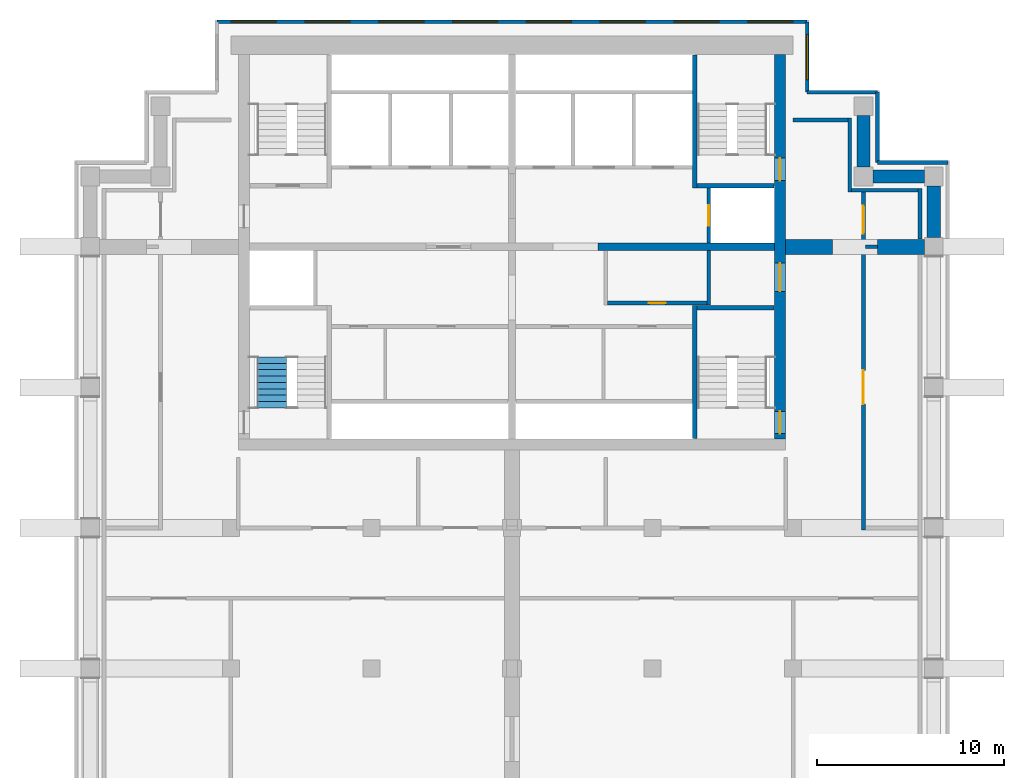
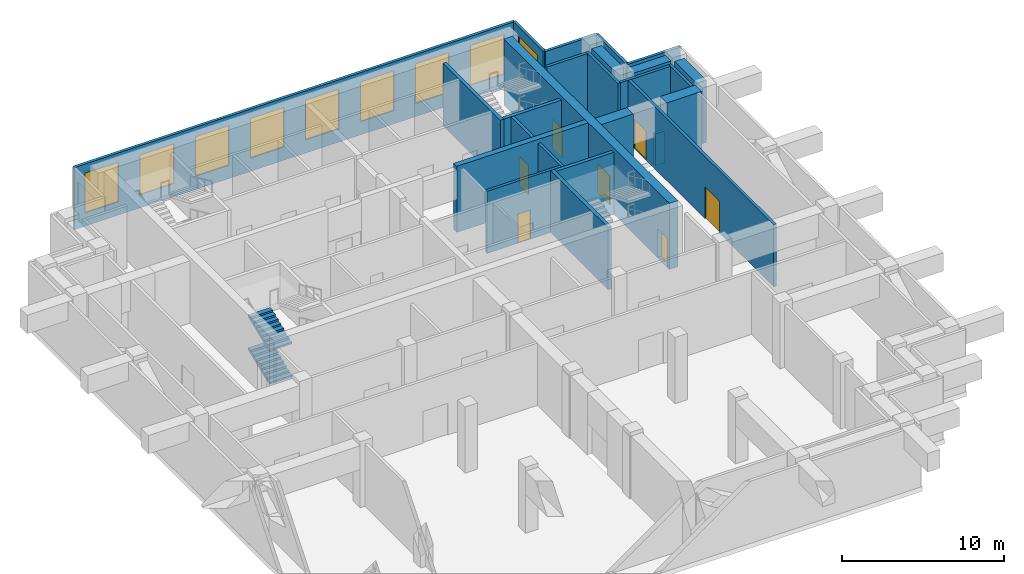
# One storey, part 4 of 6: 25 walls, 9 windows, 7 doors, 2 stair flights, 16 openings, 1 element without a shape of its own.
"""IFC4 building model written with IfcOpenShell, lengths in metres."""

from ifc_helpers import new_model, si_unit, direction, frame, frame_2d, origin, place, context, subcontext, project, spatial, polyline, rectangle, outline, extrude, material, layer, layer_set, type_object, element, fill, aggregate, save


model = new_model("IFC4")

# Units and contexts
model_context = context("Model", 3, precision=1e-05, world=origin(), true_north=direction((0.0, 1.0)))
body_context = subcontext(model_context, "Body", "Model", "MODEL_VIEW")
ifc_project = project(units=[si_unit("LENGTHUNIT", "METRE"), si_unit("AREAUNIT", "SQUARE_METRE"), si_unit("VOLUMEUNIT", "CUBIC_METRE"), si_unit("PLANEANGLEUNIT", "RADIAN"), si_unit("MASSUNIT", "GRAM", prefix="KILO")], contexts=[model_context])

# Site, building, storey
site_placement = place(None, origin())
site = spatial("IfcSite", under=ifc_project, at=site_placement, CompositionType="ELEMENT")
building_placement = place(site_placement, origin())
building = spatial("IfcBuilding", under=site, at=building_placement, Name="Pilkhan Gate Tower", CompositionType="ELEMENT")
storey_placement = place(building_placement, frame((0.0, 0.0, 183.699951171875)))
storey = spatial("IfcBuildingStorey", under=building, at=storey_placement, Name="L47", CompositionType="ELEMENT", Elevation=183.699951171875)

# Walls
ifc_material_1 = material(Name="Concrete C60/75", Category="concrete")
ifc_layer_1 = layer(ifc_material_1, 0.699951171875)
ifc_layer_set_1 = layer_set([ifc_layer_1], Name="Belt wall BW700 C60/75")
wall_type_1 = type_object("IfcWallType", Name="Belt wall BW700 C60/75", PredefinedType="SHEAR", material=ifc_layer_set_1)
for number, where, z_axis, x_axis, name in (
    (1, (93.75, 89.5, 0.0), (0.0, 0.0, 1.0), (0.0, -1.0, 0.0), "Belt wall 14 L47"),
    (2, (94.25, 86.25, 0.0), (0.0, 0.0, 1.0), (1.0, 0.0, 0.0), "Belt wall 15 L47"),
    (3, (97.5, 85.75, 0.0), (0.0, 0.0, 1.0), (0.0, -1.0, 0.0), "Belt wall 16 L47"),
):
    element("IfcWall", number, at=place(storey_placement, frame(where, z_axis=z_axis, x_axis=x_axis)), inside=storey, type_object=wall_type_1, Name=name, PredefinedType="SHEAR", context=body_context, shape_type="SweptSolid", body=[
        extrude(rectangle(XDim=2.75, YDim=0.699951171875, at=frame_2d((1.375, 0.0))), origin(), (0.0, 0.0, 1.0), 4.699951171875),
    ])

# Wall, openings, doors
ifc_material_2 = material(Name="Concrete C50/60", Category="concrete")
ifc_layer_2 = layer(ifc_material_2, 0.60009765625)
ifc_layer_set_2 = layer_set([ifc_layer_2], Name="Core wall CW600 C50/60")
wall_type_2 = type_object("IfcWallType", Name="Core wall CW600 C50/60", PredefinedType="SHEAR", material=ifc_layer_set_2)
wall_1_placement = place(storey_placement, frame((89.300048828125, 72.25, 0.0), z_axis=(0.0, 0.0, 1.0), x_axis=(0.0, 1.0, 0.0)))
wall_1 = element("IfcWall", 4, at=wall_1_placement, inside=storey, type_object=wall_type_2, Name="Core wall E L47", PredefinedType="SHEAR", context=body_context, shape_type="SweptSolid", body=[
    extrude(rectangle(XDim=20.5, YDim=0.60009765625, at=frame_2d((10.25, 0.0))), origin(), (0.0, 0.0, 1.0), 5.0),
])
opening_1_placement = place(wall_1_placement, frame((0.27490234375, 0.0, 0.0)))
opening_1 = element("IfcOpeningElement", 5, at=opening_1_placement, cuts=wall_1, Name="Opening L47-03", PredefinedType="OPENING", context=body_context, shape_type="SweptSolid", body=[
    extrude(rectangle(XDim=1.199951171875, YDim=2.199951171875, at=frame_2d((0.60009765625, 1.10009765625))), frame((0.0, 0.31005859375, 0.0), z_axis=(0.0, -1.0, 0.0), x_axis=(1.0, 0.0, 0.0)), (0.0, 0.0, 1.0), 0.6201171875),
])
opening_2_placement = place(wall_1_placement, frame((13.77490234375, 0.0, 0.0)))
opening_2 = element("IfcOpeningElement", 6, at=opening_2_placement, cuts=wall_1, Name="Opening L47-05", PredefinedType="OPENING", context=body_context, shape_type="SweptSolid", body=[
    extrude(rectangle(XDim=1.199951171875, YDim=2.199951171875, at=frame_2d((0.60009765625, 1.10009765625))), frame((0.0, 0.31005859375, 0.0), z_axis=(0.0, -1.0, 0.0), x_axis=(1.0, 0.0, 0.0)), (0.0, 0.0, 1.0), 0.6201171875),
])
opening_3_placement = place(wall_1_placement, frame((7.875, 0.0, 0.0)))
opening_3 = element("IfcOpeningElement", 7, at=opening_3_placement, cuts=wall_1, Name="Opening L47-09", PredefinedType="OPENING", context=body_context, shape_type="SweptSolid", body=[
    extrude(rectangle(XDim=1.5, YDim=2.199951171875, at=frame_2d((0.75, 1.10009765625))), frame((0.0, 0.31005859375, 0.0), z_axis=(0.0, -1.0, 0.0), x_axis=(1.0, 0.0, 0.0)), (0.0, 0.0, 1.0), 0.6201171875),
])
ifc_material_3 = material(Name="Steel framed glazed door, 60 minute fire resisting", Category="steel")
door_type_1 = type_object("IfcDoorType", Name="Lobby door D09 1500x2200", OperationType="DOUBLE_DOOR_SINGLE_SWING", PredefinedType="DOOR", material=ifc_material_3)
door_1_placement = place(opening_3_placement, origin())
door_1 = element("IfcDoor", 8, at=door_1_placement, inside=storey, type_object=door_type_1, Name="Core door", OperationType="DOUBLE_DOOR_SINGLE_SWING", OverallHeight=2.199951171875, OverallWidth=1.5, PredefinedType="DOOR", context=body_context, shape_type="SweptSolid", body=[
    extrude(rectangle(XDim=1.5, YDim=2.199951171875, at=frame_2d((0.75, 1.10009765625))), frame((0.0, 0.02490234375, 0.0), z_axis=(0.0, -1.0, 0.0), x_axis=(1.0, 0.0, 0.0)), (0.0, 0.0, 1.0), 0.050048828125),
])
fill(opening_3, door_1)
ifc_material_4 = material(Name="Steel door, 120 minute fire resisting, panic bar", Category="steel")
door_type_2 = type_object("IfcDoorType", Name="Stair door D11 1200x2200", OperationType="SINGLE_SWING_LEFT", PredefinedType="DOOR", material=ifc_material_4)
door_2_placement = place(opening_1_placement, origin())
door_2 = element("IfcDoor", 9, at=door_2_placement, inside=storey, type_object=door_type_2, Name="Stair ST1 door", OperationType="SINGLE_SWING_LEFT", OverallHeight=2.199951171875, OverallWidth=1.199951171875, PredefinedType="DOOR", context=body_context, shape_type="SweptSolid", body=[
    extrude(rectangle(XDim=1.199951171875, YDim=2.199951171875, at=frame_2d((0.60009765625, 1.10009765625))), frame((0.0, 0.02490234375, 0.0), z_axis=(0.0, -1.0, 0.0), x_axis=(1.0, 0.0, 0.0)), (0.0, 0.0, 1.0), 0.050048828125),
])
fill(opening_1, door_2)
door_3_placement = place(opening_2_placement, origin())
door_3 = element("IfcDoor", 10, at=door_3_placement, inside=storey, type_object=door_type_2, Name="Stair ST4 door", OperationType="SINGLE_SWING_RIGHT", OverallHeight=2.199951171875, OverallWidth=1.199951171875, PredefinedType="DOOR", context=body_context, shape_type="SweptSolid", body=[
    extrude(rectangle(XDim=1.199951171875, YDim=2.199951171875, at=frame_2d((0.60009765625, 1.10009765625))), frame((0.0, 0.02490234375, 0.0), z_axis=(0.0, -1.0, 0.0), x_axis=(1.0, 0.0, 0.0)), (0.0, 0.0, 1.0), 0.050048828125),
])
fill(opening_2, door_3)

# Wall, opening, door
ifc_material_5 = material(Name="Dense blockwork", Category="masonry")
ifc_layer_3 = layer(ifc_material_5, 0.199951171875)
ifc_layer_set_3 = layer_set([ifc_layer_3], Name="Lobby wall LW200")
wall_type_3 = type_object("IfcWallType", Name="Lobby wall LW200", PredefinedType="PARTITIONING", material=ifc_layer_set_3)
wall_2_placement = place(storey_placement, frame((80.10009765625, 79.5, 0.0), z_axis=(0.0, 0.0, 1.0), x_axis=(1.0, 0.0, 0.0)))
wall_2 = element("IfcWall", 11, at=wall_2_placement, inside=storey, type_object=wall_type_3, Name="Partition L47", PredefinedType="PARTITIONING", context=body_context, shape_type="SweptSolid", body=[
    extrude(rectangle(XDim=5.2998046875, YDim=0.199951171875, at=frame_2d((2.64990234375, 0.0))), origin(), (0.0, 0.0, 1.0), 4.699951171875),
])
opening_4_placement = place(wall_2_placement, frame((2.199951171875, 0.0, 0.0)))
opening_4 = element("IfcOpeningElement", 12, at=opening_4_placement, cuts=wall_2, Name="Opening L47-10", PredefinedType="OPENING", context=body_context, shape_type="SweptSolid", body=[
    extrude(rectangle(XDim=0.89990234375, YDim=2.199951171875, at=frame_2d((0.449951171875, 1.10009765625))), frame((0.0, 0.10986328125, 0.0), z_axis=(0.0, -1.0, 0.0), x_axis=(1.0, 0.0, 0.0)), (0.0, 0.0, 1.0), 0.219970703125),
])
ifc_material_6 = material(Name="Timber flush door, 60 minute fire resisting, self-closing", Category="wood")
door_type_3 = type_object("IfcDoorType", Name="Store door D05 900x2200", OperationType="SINGLE_SWING_LEFT", PredefinedType="DOOR", material=ifc_material_6)
door_4_placement = place(opening_4_placement, origin())
door_4 = element("IfcDoor", 13, at=door_4_placement, inside=storey, type_object=door_type_3, Name="Store door", OperationType="SINGLE_SWING_LEFT", OverallHeight=2.199951171875, OverallWidth=0.89990234375, PredefinedType="DOOR", context=body_context, shape_type="SweptSolid", body=[
    extrude(rectangle(XDim=0.89990234375, YDim=2.199951171875, at=frame_2d((0.449951171875, 1.10009765625))), frame((0.0, 0.02490234375, 0.0), z_axis=(0.0, -1.0, 0.0), x_axis=(1.0, 0.0, 0.0)), (0.0, 0.0, 1.0), 0.050048828125),
])
fill(opening_4, door_4)

# Walls
wall_3_placement = place(storey_placement, frame((93.85009765625, 82.5, 0.0), z_axis=(0.0, 0.0, 1.0), x_axis=(1.0, 0.0, 0.0)))
element("IfcWall", 14, at=wall_3_placement, inside=storey, type_object=wall_type_3, Name="Partition L47", PredefinedType="PARTITIONING", context=body_context, shape_type="SweptSolid", body=[
    extrude(rectangle(XDim=0.639892578125, YDim=0.199951171875, at=frame_2d((0.31982421875, 0.0))), origin(), (0.0, 0.0, 1.0), 2.400146484375),
])
wall_4_placement = place(storey_placement, frame((93.114990234375, 85.514892578125, 0.0), z_axis=(0.0, 0.0, 1.0), x_axis=(1.0, 0.0, 0.0)))
element("IfcWall", 15, at=wall_4_placement, inside=storey, type_object=wall_type_3, Name="Partition L47", PredefinedType="PARTITIONING", context=body_context, shape_type="SweptSolid", body=[
    extrude(rectangle(XDim=3.550048828125, YDim=0.199951171875, at=frame_2d((1.77490234375, 0.0))), origin(), (0.0, 0.0, 1.0), 4.699951171875),
])
wall_5_placement = place(storey_placement, frame((90.0, 89.264892578125, 0.0), z_axis=(0.0, 0.0, 1.0), x_axis=(1.0, 0.0, 0.0)))
element("IfcWall", 16, at=wall_5_placement, inside=storey, type_object=wall_type_3, Name="Partition L47", PredefinedType="PARTITIONING", context=body_context, shape_type="SweptSolid", body=[
    extrude(rectangle(XDim=2.9150390625, YDim=0.199951171875, at=frame_2d((1.45751953125, 0.0))), origin(), (0.0, 0.0, 1.0), 4.699951171875),
])
wall_6_placement = place(storey_placement, frame((85.5, 79.39990234375, 0.0), z_axis=(0.0, 0.0, 1.0), x_axis=(0.0, 1.0, 0.0)))
element("IfcWall", 17, at=wall_6_placement, inside=storey, type_object=wall_type_3, Name="Partition L47", PredefinedType="PARTITIONING", context=body_context, shape_type="SweptSolid", body=[
    extrude(rectangle(XDim=2.89013671875, YDim=0.199951171875, at=frame_2d((1.445068359375, 0.0))), origin(), (0.0, 0.0, 1.0), 4.699951171875),
])
wall_7_placement = place(storey_placement, frame((93.014892578125, 85.4150390625, 0.0), z_axis=(0.0, 0.0, 1.0), x_axis=(0.0, 1.0, 0.0)))
element("IfcWall", 18, at=wall_7_placement, inside=storey, type_object=wall_type_3, Name="Partition L47", PredefinedType="PARTITIONING", context=body_context, shape_type="SweptSolid", body=[
    extrude(rectangle(XDim=3.949951171875, YDim=0.199951171875, at=frame_2d((1.97509765625, 0.0))), origin(), (0.0, 0.0, 1.0), 4.699951171875),
])

# Wall, openings, doors
wall_8_placement = place(storey_placement, frame((93.75, 67.39990234375, 0.0), z_axis=(0.0, 0.0, 1.0), x_axis=(0.0, 1.0, 0.0)))
wall_8 = element("IfcWall", 19, at=wall_8_placement, inside=storey, type_object=wall_type_3, Name="Partition L47", PredefinedType="PARTITIONING", context=body_context, shape_type="SweptSolid", body=[
    extrude(rectangle(XDim=18.01513671875, YDim=0.199951171875, at=frame_2d((9.007568359375, 0.0))), origin(), (0.0, 0.0, 1.0), 4.699951171875),
])
opening_5_placement = place(wall_8_placement, frame((15.800048828125, 0.0, 0.0)))
opening_5 = element("IfcOpeningElement", 20, at=opening_5_placement, cuts=wall_8, Name="Opening L47-08", PredefinedType="OPENING", context=body_context, shape_type="SweptSolid", body=[
    extrude(rectangle(XDim=1.5, YDim=2.199951171875, at=frame_2d((0.75, 1.10009765625))), frame((0.0, 0.10986328125, 0.0), z_axis=(0.0, -1.0, 0.0), x_axis=(1.0, 0.0, 0.0)), (0.0, 0.0, 1.0), 0.219970703125),
])
opening_6_placement = place(wall_8_placement, frame((6.699951171875, 0.0, 0.0)))
opening_6 = element("IfcOpeningElement", 21, at=opening_6_placement, cuts=wall_8, Name="Opening L47-24", PredefinedType="OPENING", context=body_context, shape_type="SweptSolid", body=[
    extrude(rectangle(XDim=1.800048828125, YDim=2.39990234375, at=frame_2d((0.89990234375, 1.199951171875))), frame((0.0, 0.10986328125, 0.0), z_axis=(0.0, -1.0, 0.0), x_axis=(1.0, 0.0, 0.0)), (0.0, 0.0, 1.0), 0.219970703125),
])
door_5_placement = place(opening_5_placement, origin())
door_5 = element("IfcDoor", 22, at=door_5_placement, inside=storey, type_object=door_type_1, Name="Refuge door", OperationType="DOUBLE_DOOR_SINGLE_SWING", OverallHeight=2.199951171875, OverallWidth=1.5, PredefinedType="DOOR", context=body_context, shape_type="SweptSolid", body=[
    extrude(rectangle(XDim=1.5, YDim=2.199951171875, at=frame_2d((0.75, 1.10009765625))), frame((0.0, 0.02490234375, 0.0), z_axis=(0.0, -1.0, 0.0), x_axis=(1.0, 0.0, 0.0)), (0.0, 0.0, 1.0), 0.050048828125),
])
fill(opening_5, door_5)
ifc_material_7 = material(Name="Steel door, 120 minute fire resisting", Category="steel")
door_type_4 = type_object("IfcDoorType", Name="Plant room door D08 1800x2400", OperationType="DOUBLE_DOOR_SINGLE_SWING", PredefinedType="DOOR", material=ifc_material_7)
door_6_placement = place(opening_6_placement, origin())
door_6 = element("IfcDoor", 23, at=door_6_placement, inside=storey, type_object=door_type_4, Name="Plant room door", OperationType="DOUBLE_DOOR_SINGLE_SWING", OverallHeight=2.39990234375, OverallWidth=1.800048828125, PredefinedType="DOOR", context=body_context, shape_type="SweptSolid", body=[
    extrude(rectangle(XDim=1.800048828125, YDim=2.39990234375, at=frame_2d((0.89990234375, 1.199951171875))), frame((0.0, 0.02490234375, 0.0), z_axis=(0.0, -1.0, 0.0), x_axis=(1.0, 0.0, 0.0)), (0.0, 0.0, 1.0), 0.050048828125),
])
fill(opening_6, door_6)

# Walls
wall_9_placement = place(storey_placement, frame((96.764892578125, 82.909912109375, 0.0), z_axis=(0.0, 0.0, 1.0), x_axis=(0.0, 1.0, 0.0)))
element("IfcWall", 24, at=wall_9_placement, inside=storey, type_object=wall_type_3, Name="Partition L47", PredefinedType="PARTITIONING", context=body_context, shape_type="SweptSolid", body=[
    extrude(rectangle(XDim=2.705078125, YDim=0.199951171875, at=frame_2d((1.3525390625, 0.0))), origin(), (0.0, 0.0, 1.0), 4.699951171875),
])
ifc_layer_4 = layer(ifc_material_1, 0.800048828125)
ifc_layer_set_4 = layer_set([ifc_layer_4], Name="Outrigger wall OW800 C60/75")
wall_type_4 = type_object("IfcWallType", Name="Outrigger wall OW800 C60/75", PredefinedType="SHEAR", material=ifc_layer_set_4)
for number, where, z_axis, x_axis, name in (
    (25, (89.60009765625, 82.5, 0.0), (0.0, 0.0, 1.0), (1.0, 0.0, 0.0), "Outrigger wall 1 L47"),
    (26, (94.5, 82.5, 0.0), (0.0, 0.0, 1.0), (1.0, 0.0, 0.0), "Outrigger wall 2 L47"),
):
    element("IfcWall", number, at=place(storey_placement, frame(where, z_axis=z_axis, x_axis=x_axis)), inside=storey, type_object=wall_type_4, Name=name, PredefinedType="SHEAR", context=body_context, shape_type="SweptSolid", body=[
        extrude(rectangle(XDim=2.5, YDim=0.800048828125, at=frame_2d((1.25, 0.0))), origin(), (0.0, 0.0, 1.0), 4.699951171875),
    ])
ifc_material_8 = material(Name="Pale anodised aluminium cladding", Category="aluminium")
ifc_layer_5 = layer(ifc_material_8, 0.199951171875)
ifc_layer_set_5 = layer_set([ifc_layer_5], Name="Plant screen wall PS200")
wall_type_5 = type_object("IfcWallType", Name="Plant screen wall PS200", PredefinedType="SOLIDWALL", material=ifc_layer_set_5)
for number, where, z_axis, x_axis, name in (
    (27, (94.5, 87.0, 0.0), (0.0, 0.0, 1.0), (1.0, 0.0, 0.0), "Plant screen wall L47 N"),
    (28, (94.5, 87.0, 0.0), (0.0, 0.0, 1.0), (0.0, 1.0, 0.0), "Plant screen wall L47 E"),
    (29, (90.75, 90.75, 0.0), (0.0, 0.0, 1.0), (1.0, 0.0, 0.0), "Plant screen wall L47 N"),
):
    element("IfcWall", number, at=place(storey_placement, frame(where, z_axis=z_axis, x_axis=x_axis)), inside=storey, type_object=wall_type_5, Name=name, PredefinedType="SOLIDWALL", context=body_context, shape_type="SweptSolid", body=[
        extrude(rectangle(XDim=3.75, YDim=0.199951171875, at=frame_2d((1.875, 0.0))), origin(), (0.0, 0.0, 1.0), 4.699951171875),
    ])

# Wall, opening, window
wall_10_placement = place(storey_placement, frame((90.75, 90.75, 0.0), z_axis=(0.0, 0.0, 1.0), x_axis=(0.0, 1.0, 0.0)))
wall_10 = element("IfcWall", 30, at=wall_10_placement, inside=storey, type_object=wall_type_5, Name="Plant screen wall L47 E", PredefinedType="SOLIDWALL", context=body_context, shape_type="SweptSolid", body=[
    extrude(rectangle(XDim=3.75, YDim=0.199951171875, at=frame_2d((1.875, 0.0))), origin(), (0.0, 0.0, 1.0), 4.699951171875),
])
opening_7_placement = place(wall_10_placement, frame((0.675048828125, 0.0, 1.0)))
opening_7 = element("IfcOpeningElement", 31, at=opening_7_placement, cuts=wall_10, Name="Opening WL1", PredefinedType="OPENING", context=body_context, shape_type="SweptSolid", body=[
    extrude(rectangle(XDim=2.39990234375, YDim=3.0, at=frame_2d((1.199951171875, 1.5))), frame((0.0, 0.10986328125, 0.0), z_axis=(0.0, -1.0, 0.0), x_axis=(1.0, 0.0, 0.0)), (0.0, 0.0, 1.0), 0.219970703125),
])
ifc_material_9 = material(Name="Pale anodised aluminium storm louvre, bird mesh", Category="aluminium")
window_type = type_object("IfcWindowType", Name="Plant louvre WL1 2400x3000", PartitioningType="SINGLE_PANEL", PredefinedType="USERDEFINED", material=ifc_material_9)
window_1_placement = place(opening_7_placement, origin())
window_1 = element("IfcWindow", 32, at=window_1_placement, inside=storey, type_object=window_type, Name="Louvre L47", ObjectType="LOUVRE", OverallHeight=3.0, OverallWidth=2.39990234375, PartitioningType="SINGLE_PANEL", PredefinedType="USERDEFINED", context=body_context, shape_type="SweptSolid", body=[
    extrude(rectangle(XDim=2.39990234375, YDim=3.0, at=frame_2d((1.199951171875, 1.5))), frame((0.0, 0.030029296875, 0.0), z_axis=(0.0, -1.0, 0.0), x_axis=(1.0, 0.0, 0.0)), (0.0, 0.0, 1.0), 0.06005859375),
])
fill(opening_7, window_1)

# Wall, openings, windows
wall_11_placement = place(storey_placement, frame((59.25, 94.5, 0.0), z_axis=(0.0, 0.0, 1.0), x_axis=(1.0, 0.0, 0.0)))
wall_11 = element("IfcWall", 33, at=wall_11_placement, inside=storey, type_object=wall_type_5, Name="Plant screen wall L47 N", PredefinedType="SOLIDWALL", context=body_context, shape_type="SweptSolid", body=[
    extrude(rectangle(XDim=31.5, YDim=0.199951171875, at=frame_2d((15.75, 0.0))), origin(), (0.0, 0.0, 1.0), 4.699951171875),
])
opening_8_placement = place(wall_11_placement, frame((0.768798828125, 0.0, 1.0)))
opening_8 = element("IfcOpeningElement", 34, at=opening_8_placement, cuts=wall_11, Name="Opening WL1", PredefinedType="OPENING", context=body_context, shape_type="SweptSolid", body=[
    extrude(rectangle(XDim=2.39990234375, YDim=3.0, at=frame_2d((1.199951171875, 1.5))), frame((0.0, 0.10986328125, 0.0), z_axis=(0.0, -1.0, 0.0), x_axis=(1.0, 0.0, 0.0)), (0.0, 0.0, 1.0), 0.219970703125),
])
opening_9_placement = place(wall_11_placement, frame((4.706298828125, 0.0, 1.0)))
opening_9 = element("IfcOpeningElement", 35, at=opening_9_placement, cuts=wall_11, Name="Opening WL1", PredefinedType="OPENING", context=body_context, shape_type="SweptSolid", body=[
    extrude(rectangle(XDim=2.39990234375, YDim=3.0, at=frame_2d((1.199951171875, 1.5))), frame((0.0, 0.10986328125, 0.0), z_axis=(0.0, -1.0, 0.0), x_axis=(1.0, 0.0, 0.0)), (0.0, 0.0, 1.0), 0.219970703125),
])
opening_10_placement = place(wall_11_placement, frame((8.643798828125, 0.0, 1.0)))
opening_10 = element("IfcOpeningElement", 36, at=opening_10_placement, cuts=wall_11, Name="Opening WL1", PredefinedType="OPENING", context=body_context, shape_type="SweptSolid", body=[
    extrude(rectangle(XDim=2.39990234375, YDim=3.0, at=frame_2d((1.199951171875, 1.5))), frame((0.0, 0.10986328125, 0.0), z_axis=(0.0, -1.0, 0.0), x_axis=(1.0, 0.0, 0.0)), (0.0, 0.0, 1.0), 0.219970703125),
])
opening_11_placement = place(wall_11_placement, frame((12.581298828125, 0.0, 1.0)))
opening_11 = element("IfcOpeningElement", 37, at=opening_11_placement, cuts=wall_11, Name="Opening WL1", PredefinedType="OPENING", context=body_context, shape_type="SweptSolid", body=[
    extrude(rectangle(XDim=2.39990234375, YDim=3.0, at=frame_2d((1.199951171875, 1.5))), frame((0.0, 0.10986328125, 0.0), z_axis=(0.0, -1.0, 0.0), x_axis=(1.0, 0.0, 0.0)), (0.0, 0.0, 1.0), 0.219970703125),
])
opening_12_placement = place(wall_11_placement, frame((16.518798828125, 0.0, 1.0)))
opening_12 = element("IfcOpeningElement", 38, at=opening_12_placement, cuts=wall_11, Name="Opening WL1", PredefinedType="OPENING", context=body_context, shape_type="SweptSolid", body=[
    extrude(rectangle(XDim=2.39990234375, YDim=3.0, at=frame_2d((1.199951171875, 1.5))), frame((0.0, 0.10986328125, 0.0), z_axis=(0.0, -1.0, 0.0), x_axis=(1.0, 0.0, 0.0)), (0.0, 0.0, 1.0), 0.219970703125),
])
opening_13_placement = place(wall_11_placement, frame((20.456298828125, 0.0, 1.0)))
opening_13 = element("IfcOpeningElement", 39, at=opening_13_placement, cuts=wall_11, Name="Opening WL1", PredefinedType="OPENING", context=body_context, shape_type="SweptSolid", body=[
    extrude(rectangle(XDim=2.39990234375, YDim=3.0, at=frame_2d((1.199951171875, 1.5))), frame((0.0, 0.10986328125, 0.0), z_axis=(0.0, -1.0, 0.0), x_axis=(1.0, 0.0, 0.0)), (0.0, 0.0, 1.0), 0.219970703125),
])
opening_14_placement = place(wall_11_placement, frame((24.393798828125, 0.0, 1.0)))
opening_14 = element("IfcOpeningElement", 40, at=opening_14_placement, cuts=wall_11, Name="Opening WL1", PredefinedType="OPENING", context=body_context, shape_type="SweptSolid", body=[
    extrude(rectangle(XDim=2.39990234375, YDim=3.0, at=frame_2d((1.199951171875, 1.5))), frame((0.0, 0.10986328125, 0.0), z_axis=(0.0, -1.0, 0.0), x_axis=(1.0, 0.0, 0.0)), (0.0, 0.0, 1.0), 0.219970703125),
])
opening_15_placement = place(wall_11_placement, frame((28.331298828125, 0.0, 1.0)))
opening_15 = element("IfcOpeningElement", 41, at=opening_15_placement, cuts=wall_11, Name="Opening WL1", PredefinedType="OPENING", context=body_context, shape_type="SweptSolid", body=[
    extrude(rectangle(XDim=2.39990234375, YDim=3.0, at=frame_2d((1.199951171875, 1.5))), frame((0.0, 0.10986328125, 0.0), z_axis=(0.0, -1.0, 0.0), x_axis=(1.0, 0.0, 0.0)), (0.0, 0.0, 1.0), 0.219970703125),
])
window_2_placement = place(opening_8_placement, origin())
window_2 = element("IfcWindow", 42, at=window_2_placement, inside=storey, type_object=window_type, Name="Louvre L47", ObjectType="LOUVRE", OverallHeight=3.0, OverallWidth=2.39990234375, PartitioningType="SINGLE_PANEL", PredefinedType="USERDEFINED", context=body_context, shape_type="SweptSolid", body=[
    extrude(rectangle(XDim=2.39990234375, YDim=3.0, at=frame_2d((1.199951171875, 1.5))), frame((0.0, 0.030029296875, 0.0), z_axis=(0.0, -1.0, 0.0), x_axis=(1.0, 0.0, 0.0)), (0.0, 0.0, 1.0), 0.06005859375),
])
fill(opening_8, window_2)
window_3_placement = place(opening_9_placement, origin())
window_3 = element("IfcWindow", 43, at=window_3_placement, inside=storey, type_object=window_type, Name="Louvre L47", ObjectType="LOUVRE", OverallHeight=3.0, OverallWidth=2.39990234375, PartitioningType="SINGLE_PANEL", PredefinedType="USERDEFINED", context=body_context, shape_type="SweptSolid", body=[
    extrude(rectangle(XDim=2.39990234375, YDim=3.0, at=frame_2d((1.199951171875, 1.5))), frame((0.0, 0.030029296875, 0.0), z_axis=(0.0, -1.0, 0.0), x_axis=(1.0, 0.0, 0.0)), (0.0, 0.0, 1.0), 0.06005859375),
])
fill(opening_9, window_3)
window_4_placement = place(opening_10_placement, origin())
window_4 = element("IfcWindow", 44, at=window_4_placement, inside=storey, type_object=window_type, Name="Louvre L47", ObjectType="LOUVRE", OverallHeight=3.0, OverallWidth=2.39990234375, PartitioningType="SINGLE_PANEL", PredefinedType="USERDEFINED", context=body_context, shape_type="SweptSolid", body=[
    extrude(rectangle(XDim=2.39990234375, YDim=3.0, at=frame_2d((1.199951171875, 1.5))), frame((0.0, 0.030029296875, 0.0), z_axis=(0.0, -1.0, 0.0), x_axis=(1.0, 0.0, 0.0)), (0.0, 0.0, 1.0), 0.06005859375),
])
fill(opening_10, window_4)
window_5_placement = place(opening_11_placement, origin())
window_5 = element("IfcWindow", 45, at=window_5_placement, inside=storey, type_object=window_type, Name="Louvre L47", ObjectType="LOUVRE", OverallHeight=3.0, OverallWidth=2.39990234375, PartitioningType="SINGLE_PANEL", PredefinedType="USERDEFINED", context=body_context, shape_type="SweptSolid", body=[
    extrude(rectangle(XDim=2.39990234375, YDim=3.0, at=frame_2d((1.199951171875, 1.5))), frame((0.0, 0.030029296875, 0.0), z_axis=(0.0, -1.0, 0.0), x_axis=(1.0, 0.0, 0.0)), (0.0, 0.0, 1.0), 0.06005859375),
])
fill(opening_11, window_5)
window_6_placement = place(opening_12_placement, origin())
window_6 = element("IfcWindow", 46, at=window_6_placement, inside=storey, type_object=window_type, Name="Louvre L47", ObjectType="LOUVRE", OverallHeight=3.0, OverallWidth=2.39990234375, PartitioningType="SINGLE_PANEL", PredefinedType="USERDEFINED", context=body_context, shape_type="SweptSolid", body=[
    extrude(rectangle(XDim=2.39990234375, YDim=3.0, at=frame_2d((1.199951171875, 1.5))), frame((0.0, 0.030029296875, 0.0), z_axis=(0.0, -1.0, 0.0), x_axis=(1.0, 0.0, 0.0)), (0.0, 0.0, 1.0), 0.06005859375),
])
fill(opening_12, window_6)
window_7_placement = place(opening_13_placement, origin())
window_7 = element("IfcWindow", 47, at=window_7_placement, inside=storey, type_object=window_type, Name="Louvre L47", ObjectType="LOUVRE", OverallHeight=3.0, OverallWidth=2.39990234375, PartitioningType="SINGLE_PANEL", PredefinedType="USERDEFINED", context=body_context, shape_type="SweptSolid", body=[
    extrude(rectangle(XDim=2.39990234375, YDim=3.0, at=frame_2d((1.199951171875, 1.5))), frame((0.0, 0.030029296875, 0.0), z_axis=(0.0, -1.0, 0.0), x_axis=(1.0, 0.0, 0.0)), (0.0, 0.0, 1.0), 0.06005859375),
])
fill(opening_13, window_7)
window_8_placement = place(opening_14_placement, origin())
window_8 = element("IfcWindow", 48, at=window_8_placement, inside=storey, type_object=window_type, Name="Louvre L47", ObjectType="LOUVRE", OverallHeight=3.0, OverallWidth=2.39990234375, PartitioningType="SINGLE_PANEL", PredefinedType="USERDEFINED", context=body_context, shape_type="SweptSolid", body=[
    extrude(rectangle(XDim=2.39990234375, YDim=3.0, at=frame_2d((1.199951171875, 1.5))), frame((0.0, 0.030029296875, 0.0), z_axis=(0.0, -1.0, 0.0), x_axis=(1.0, 0.0, 0.0)), (0.0, 0.0, 1.0), 0.06005859375),
])
fill(opening_14, window_8)
window_9_placement = place(opening_15_placement, origin())
window_9 = element("IfcWindow", 49, at=window_9_placement, inside=storey, type_object=window_type, Name="Louvre L47", ObjectType="LOUVRE", OverallHeight=3.0, OverallWidth=2.39990234375, PartitioningType="SINGLE_PANEL", PredefinedType="USERDEFINED", context=body_context, shape_type="SweptSolid", body=[
    extrude(rectangle(XDim=2.39990234375, YDim=3.0, at=frame_2d((1.199951171875, 1.5))), frame((0.0, 0.030029296875, 0.0), z_axis=(0.0, -1.0, 0.0), x_axis=(1.0, 0.0, 0.0)), (0.0, 0.0, 1.0), 0.06005859375),
])
fill(opening_15, window_9)

# Wall, opening, door
ifc_material_10 = material(Name="Reinforced blockwork shaft wall, 120 minute fire resisting", Category="masonry")
ifc_layer_6 = layer(ifc_material_10, 0.199951171875)
ifc_layer_set_6 = layer_set([ifc_layer_6], Name="Shaft wall SW200")
wall_type_6 = type_object("IfcWallType", Name="Shaft wall SW200", PredefinedType="PARTITIONING", material=ifc_layer_set_6)
wall_12_placement = place(storey_placement, frame((85.5, 82.7099609375, 0.0), z_axis=(0.0, 0.0, 1.0), x_axis=(0.0, 1.0, 0.0)))
wall_12 = element("IfcWall", 50, at=wall_12_placement, inside=storey, type_object=wall_type_6, Name="Partition L47", PredefinedType="PARTITIONING", context=body_context, shape_type="SweptSolid", body=[
    extrude(rectangle(XDim=2.9150390625, YDim=0.199951171875, at=frame_2d((1.45751953125, 0.0))), origin(), (0.0, 0.0, 1.0), 4.699951171875),
])
opening_16_placement = place(wall_12_placement, frame((0.89990234375, 0.0, 0.0)))
opening_16 = element("IfcOpeningElement", 51, at=opening_16_placement, cuts=wall_12, Name="Opening LD", PredefinedType="OPENING", context=body_context, shape_type="SweptSolid", body=[
    extrude(rectangle(XDim=1.10009765625, YDim=2.199951171875, at=frame_2d((0.550048828125, 1.10009765625))), frame((0.0, 0.10986328125, 0.0), z_axis=(0.0, -1.0, 0.0), x_axis=(1.0, 0.0, 0.0)), (0.0, 0.0, 1.0), 0.219970703125),
])
ifc_material_11 = material(Name="Stainless steel centre-opening landing door, 120 minute fire resisting", Category="steel")
door_type_5 = type_object("IfcDoorType", Name="Lift landing door LD 1100x2200", OperationType="DOUBLE_DOOR_SLIDING", PredefinedType="DOOR", material=ifc_material_11)
door_7_placement = place(opening_16_placement, origin())
door_7 = element("IfcDoor", 52, at=door_7_placement, inside=storey, type_object=door_type_5, Name="Landing door HR4", OperationType="DOUBLE_DOOR_SLIDING", OverallHeight=2.199951171875, OverallWidth=1.10009765625, PredefinedType="DOOR", context=body_context, shape_type="SweptSolid", body=[
    extrude(rectangle(XDim=1.10009765625, YDim=2.199951171875, at=frame_2d((0.550048828125, 1.10009765625))), frame((0.0, 0.02490234375, 0.0), z_axis=(0.0, -1.0, 0.0), x_axis=(1.0, 0.0, 0.0)), (0.0, 0.0, 1.0), 0.050048828125),
])
fill(opening_16, door_7)

# Walls
ifc_layer_7 = layer(ifc_material_2, 0.39990234375)
ifc_layer_set_7 = layer_set([ifc_layer_7], Name="Spine wall SW400 C50/60")
wall_type_7 = type_object("IfcWallType", Name="Spine wall SW400 C50/60", PredefinedType="SHEAR", material=ifc_layer_set_7)
wall_13_placement = place(storey_placement, frame((79.60009765625, 82.5, 0.0), z_axis=(0.0, 0.0, 1.0), x_axis=(1.0, 0.0, 0.0)))
element("IfcWall", 53, at=wall_13_placement, inside=storey, type_object=wall_type_7, Name="Spine wall SP-EW3 L47", PredefinedType="SHEAR", context=body_context, shape_type="SweptSolid", body=[
    extrude(rectangle(XDim=9.39990234375, YDim=0.39990234375, at=frame_2d((4.699951171875, 0.0))), origin(), (0.0, 0.0, 1.0), 5.0),
])
ifc_material_12 = material(Name="Reinforced blockwork, 120 minute fire resisting", Category="masonry")
ifc_layer_8 = layer(ifc_material_12, 0.25)
ifc_layer_set_8 = layer_set([ifc_layer_8], Name="Stair enclosure wall SE250")
wall_type_8 = type_object("IfcWallType", Name="Stair enclosure wall SE250", PredefinedType="PARTITIONING", material=ifc_layer_set_8)
for number, where, z_axis, x_axis, name in (
    (54, (84.875, 79.25, 0.0), (0.0, 0.0, 1.0), (1.0, 0.0, 0.0), "Partition L47"),
    (55, (84.875, 85.75, 0.0), (0.0, 0.0, 1.0), (1.0, 0.0, 0.0), "Partition L47"),
):
    element("IfcWall", number, at=place(storey_placement, frame(where, z_axis=z_axis, x_axis=x_axis)), inside=storey, type_object=wall_type_8, Name=name, PredefinedType="PARTITIONING", context=body_context, shape_type="SweptSolid", body=[
        extrude(rectangle(XDim=4.114990234375, YDim=0.25, at=frame_2d((2.0576171875, 0.0))), origin(), (0.0, 0.0, 1.0), 4.699951171875),
    ])
for number, where, z_axis, x_axis, name in (
    (56, (84.75, 72.260009765625, 0.0), (0.0, 0.0, 1.0), (0.0, 1.0, 0.0), "Partition L47"),
    (57, (84.75, 85.625, 0.0), (0.0, 0.0, 1.0), (0.0, 1.0, 0.0), "Partition L47"),
):
    element("IfcWall", number, at=place(storey_placement, frame(where, z_axis=z_axis, x_axis=x_axis)), inside=storey, type_object=wall_type_8, Name=name, PredefinedType="PARTITIONING", context=body_context, shape_type="SweptSolid", body=[
        extrude(rectangle(XDim=7.114990234375, YDim=0.25, at=frame_2d((3.5576171875, 0.0))), origin(), (0.0, 0.0, 1.0), 4.699951171875),
    ])

# Stair, stair flights
ifc_material_13 = material(Name="Concrete C40/50 precast", Category="concrete")
stair_type = type_object("IfcStairType", Name="Stair ST2 139x340", PredefinedType="HALF_TURN_STAIR", material=ifc_material_13)
stair_placement = place(storey_placement, origin())
stair = element("IfcStair", 58, at=stair_placement, inside=storey, type_object=stair_type, Name="Stair ST2 L47", PredefinedType="HALF_TURN_STAIR")
stair_flight_type = type_object("IfcStairFlightType", Name="Stair flight ST2 139x340x9", PredefinedType="STRAIGHT", material=ifc_material_13)
stair_flight_1_placement = place(storey_placement, frame((62.18994140625, 73.89990234375, 0.0), z_axis=(0.0, 0.0, 1.0), x_axis=(0.0, 1.0, 0.0)))
stair_flight_1 = element("IfcStairFlight", 59, at=stair_flight_1_placement, type_object=stair_flight_type, Name="ST2 flight 1", NumberOfRisers=9, NumberOfTreads=8, PredefinedType="STRAIGHT", RiserHeight=0.138888889, TreadLength=0.34, context=body_context, shape_type="SweptSolid", body=[
    extrude(outline(polyline([(0.0, 0.0), (0.0, 0.138916015625), (0.340087890625, 0.138916015625), (0.340087890625, 0.27783203125), (0.679931640625, 0.27783203125), (0.679931640625, 0.416748046875), (1.02001953125, 0.416748046875), (1.02001953125, 0.5556640625), (1.360107421875, 0.5556640625), (1.360107421875, 0.6943359375), (1.699951171875, 0.6943359375), (1.699951171875, 0.833251953125), (2.0400390625, 0.833251953125), (2.0400390625, 0.97216796875), (2.3798828125, 0.97216796875), (2.3798828125, 1.111083984375), (2.719970703125, 1.111083984375), (2.719970703125, 1.25), (2.719970703125, 0.94921875), (0.396484375, 0.0), (0.0, 0.0)])), frame((0.0, 0.7900390625, 0.0), z_axis=(0.0, -1.0, 0.0), x_axis=(1.0, 0.0, 0.0)), (0.0, 0.0, 1.0), 1.580078125),
])
stair_flight_2_placement = place(storey_placement, frame((62.18994140625, 73.89990234375, 2.5), z_axis=(0.0, 0.0, 1.0), x_axis=(0.0, 1.0, 0.0)))
stair_flight_2 = element("IfcStairFlight", 60, at=stair_flight_2_placement, type_object=stair_flight_type, Name="ST2 flight 3", NumberOfRisers=9, NumberOfTreads=8, PredefinedType="STRAIGHT", RiserHeight=0.138888889, TreadLength=0.34, context=body_context, shape_type="SweptSolid", body=[
    extrude(outline(polyline([(0.0, 0.0), (0.0, 0.138916015625), (0.340087890625, 0.138916015625), (0.340087890625, 0.27783203125), (0.679931640625, 0.27783203125), (0.679931640625, 0.416748046875), (1.02001953125, 0.416748046875), (1.02001953125, 0.5556640625), (1.360107421875, 0.5556640625), (1.360107421875, 0.6943359375), (1.699951171875, 0.6943359375), (1.699951171875, 0.833251953125), (2.0400390625, 0.833251953125), (2.0400390625, 0.97216796875), (2.3798828125, 0.97216796875), (2.3798828125, 1.111083984375), (2.719970703125, 1.111083984375), (2.719970703125, 1.25), (2.719970703125, 0.94921875), (0.396484375, 0.0), (0.0, 0.0)])), frame((0.0, 0.7900390625, 0.0), z_axis=(0.0, -1.0, 0.0), x_axis=(1.0, 0.0, 0.0)), (0.0, 0.0, 1.0), 1.580078125),
])
aggregate(stair, [stair_flight_1, stair_flight_2])

save(model, "model.ifc")
